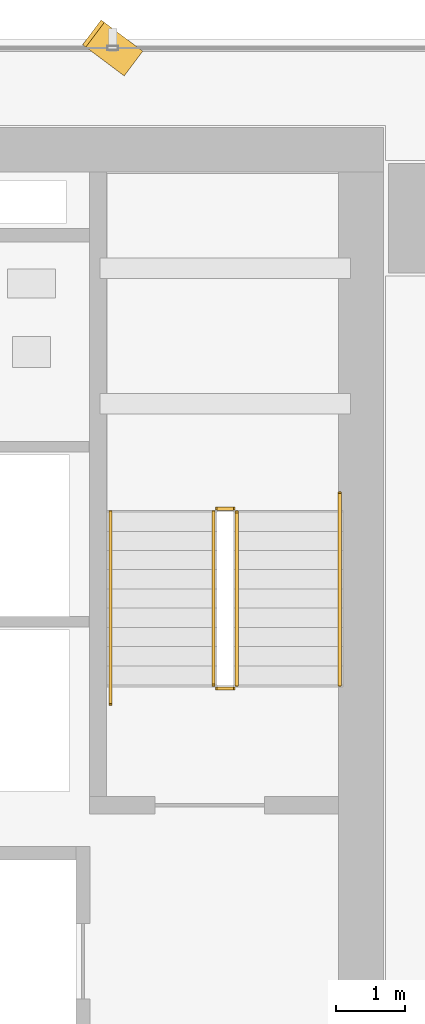
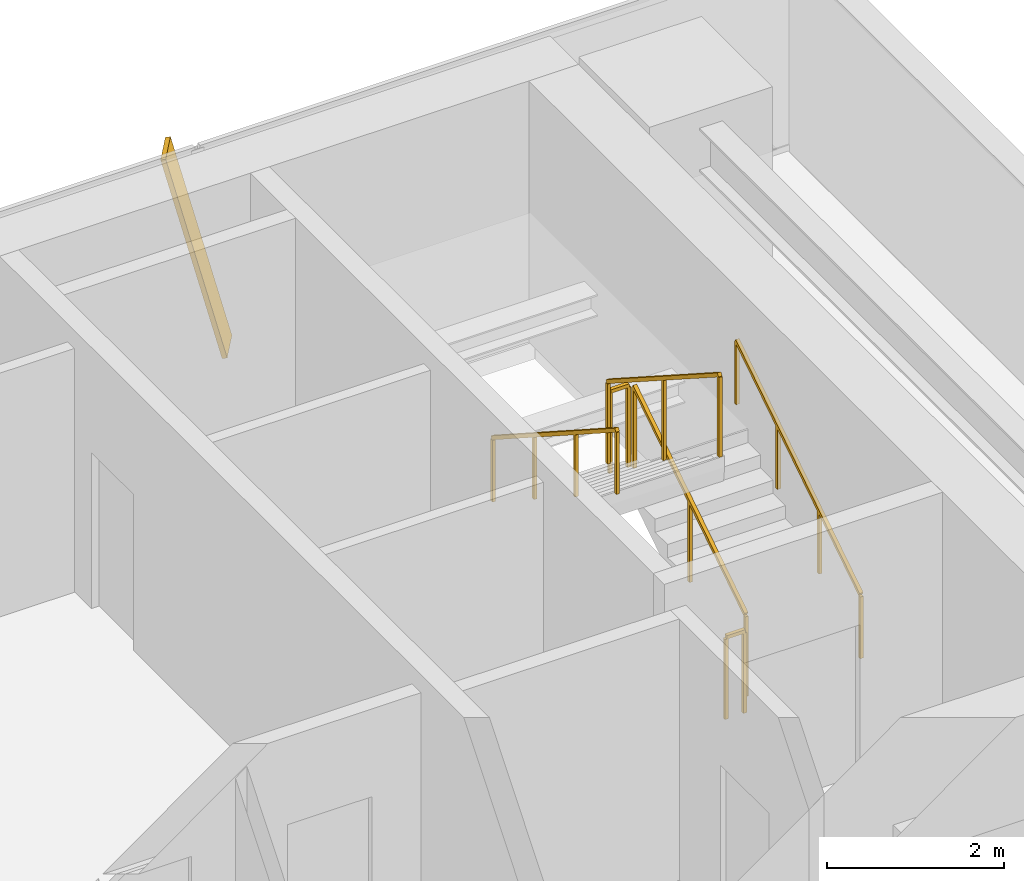
# One storey, part 33 of 34: 6 railings, 1 shading device.
"""IFC4 building model written with IfcOpenShell, lengths in metres."""

from ifc_helpers import new_model, si_unit, direction, frame, origin, origin_2d, place, context, subcontext, project, spatial, rectangle, extrude, source, transform, mapped, material, material_profile, profile_set, type_object, element, save


model = new_model("IFC4")

# Units and contexts
model_context = context("Model", 3, precision=1e-05, world=origin(), true_north=direction((0.0, 1.0)))
body_context = subcontext(model_context, "Body", "Model", "MODEL_VIEW")
ifc_project = project(units=[si_unit("LENGTHUNIT", "METRE"), si_unit("AREAUNIT", "SQUARE_METRE"), si_unit("VOLUMEUNIT", "CUBIC_METRE"), si_unit("PLANEANGLEUNIT", "RADIAN"), si_unit("MASSUNIT", "GRAM", prefix="KILO")], contexts=[model_context])

# Site, building, storey
site_placement = place(None, origin())
site = spatial("IfcSite", under=ifc_project, at=site_placement, CompositionType="ELEMENT")
building_placement = place(site_placement, origin())
building = spatial("IfcBuilding", under=site, at=building_placement, Name="Sumidabori Civic Tower", CompositionType="ELEMENT")
storey_placement = place(building_placement, frame((0.0, 0.0, 106.39990234375)))
storey = spatial("IfcBuildingStorey", under=building, at=storey_placement, Name="L27", CompositionType="ELEMENT", Elevation=106.39990234375)

# Railings
ifc_material_1 = material(Name="Stainless Steel Hairline Finish", Category="steel")
railing_type_1 = type_object("IfcRailingType", Name="RL-HANDRAIL", PredefinedType="HANDRAIL", material=ifc_material_1)
railing_1_placement = place(storey_placement, frame((15.2900390625, 16.0, 0.18017578125)))
element("IfcRailing", 1, at=railing_1_placement, inside=storey, type_object=railing_type_1, Name="L27 ST-2 stair handrail 1", PredefinedType="HANDRAIL", context=body_context, shape_type="SweptSolid", body=[
    extrude(rectangle(XDim=0.048095703125, YDim=0.048095703125, at=origin_2d()), frame((0.0, 0.0, 0.8759765625), z_axis=(0.0, 0.840675598268, 0.541539046124), x_axis=(-1.0, 0.0, 0.0)), (0.0, 0.0, 1.0), 3.330810546875),
    extrude(rectangle(XDim=0.0419921875, YDim=0.0419921875, at=origin_2d()), origin(), (0.0, 0.0, 1.0), 0.851806640625),
    extrude(rectangle(XDim=0.0419921875, YDim=0.0419921875, at=origin_2d()), frame((0.0, 0.933349609375, 0.601318359375)), (0.0, 0.0, 1.0), 0.851806640625),
    extrude(rectangle(XDim=0.0419921875, YDim=0.0419921875, at=origin_2d()), frame((0.0, 1.86669921875, 1.202392578125)), (0.0, 0.0, 1.0), 0.851806640625),
    extrude(rectangle(XDim=0.0419921875, YDim=0.0419921875, at=origin_2d()), frame((0.0, 2.800048828125, 1.8037109375)), (0.0, 0.0, 1.0), 0.851806640625),
])
railing_2_placement = place(storey_placement, frame((11.949951171875, 18.52001953125, 1.97998046875)))
element("IfcRailing", 2, at=railing_2_placement, inside=storey, type_object=railing_type_1, Name="L27 ST-2 stair handrail 2", PredefinedType="HANDRAIL", context=body_context, shape_type="SweptSolid", body=[
    extrude(rectangle(XDim=0.048095703125, YDim=0.048095703125, at=origin_2d()), frame((0.0, 0.0, 0.8759765625), z_axis=(0.0, -0.84064222762, 0.54159084662), x_axis=(1.0, 0.0, 0.0)), (0.0, 0.0, 1.0), 3.330810546875),
    extrude(rectangle(XDim=0.0419921875, YDim=0.0419921875, at=origin_2d()), origin(), (0.0, 0.0, 1.0), 0.851806640625),
    extrude(rectangle(XDim=0.0419921875, YDim=0.0419921875, at=origin_2d()), frame((0.0, -0.933349609375, 0.601318359375)), (0.0, 0.0, 1.0), 0.851806640625),
    extrude(rectangle(XDim=0.0419921875, YDim=0.0419921875, at=origin_2d()), frame((0.0, -1.86669921875, 1.20263671875)), (0.0, 0.0, 1.0), 0.851806640625),
    extrude(rectangle(XDim=0.0419921875, YDim=0.0419921875, at=origin_2d()), frame((0.0, -2.800048828125, 1.803955078125)), (0.0, 0.0, 1.0), 0.851806640625),
])
ifc_material_2 = material(Name="Steel SN490", Category="steel")
railing_type_2 = type_object("IfcRailingType", Name="RL-STAIR-GUARD", PredefinedType="GUARDRAIL", material=ifc_material_2)
railing_3_placement = place(storey_placement, frame((13.7900390625, 16.0, 0.18017578125)))
element("IfcRailing", 3, at=railing_3_placement, inside=storey, type_object=railing_type_2, Name="L27 ST-2 stair guard 1", PredefinedType="GUARDRAIL", context=body_context, shape_type="SweptSolid", body=[
    extrude(rectangle(XDim=0.048095703125, YDim=0.048095703125, at=origin_2d()), frame((0.0, 0.0, 1.1259765625), z_axis=(0.0, 0.841199657755, 0.540724639528), x_axis=(-1.0, 0.0, 0.0)), (0.0, 0.0, 1.0), 2.995849609375),
    extrude(rectangle(XDim=0.0419921875, YDim=0.0419921875, at=origin_2d()), origin(), (0.0, 0.0, 1.0), 1.101806640625),
    extrude(rectangle(XDim=0.0419921875, YDim=0.0419921875, at=origin_2d()), frame((0.0, 1.260009765625, 0.81005859375)), (0.0, 0.0, 1.0), 1.101806640625),
    extrude(rectangle(XDim=0.0419921875, YDim=0.0419921875, at=origin_2d()), frame((0.0, 2.52001953125, 1.619873046875)), (0.0, 0.0, 1.0), 1.101806640625),
])
railing_4_placement = place(storey_placement, frame((13.739990234375, 18.570068359375, 1.800048828125)))
element("IfcRailing", 4, at=railing_4_placement, inside=storey, type_object=railing_type_2, Name="L27 ST-2 stair guard 2", PredefinedType="GUARDRAIL", context=body_context, shape_type="SweptSolid", body=[
    extrude(rectangle(XDim=0.048095703125, YDim=0.048095703125, at=origin_2d()), frame((0.0, 0.0, 1.1259765625), z_axis=(-1.0, 0.0, 0.0), x_axis=(0.0, -1.0, 0.0)), (0.0, 0.0, 1.0), 0.239990234375),
    extrude(rectangle(XDim=0.0419921875, YDim=0.0419921875, at=origin_2d()), origin(), (0.0, 0.0, 1.0), 1.101806640625),
    extrude(rectangle(XDim=0.0419921875, YDim=0.0419921875, at=origin_2d()), frame((-0.239990234375, 0.0, 0.0)), (0.0, 0.0, 1.0), 1.101806640625),
])
railing_5_placement = place(storey_placement, frame((13.449951171875, 18.52001953125, 1.97998046875)))
element("IfcRailing", 5, at=railing_5_placement, inside=storey, type_object=railing_type_2, Name="L27 ST-2 stair guard 3", PredefinedType="GUARDRAIL", context=body_context, shape_type="SweptSolid", body=[
    extrude(rectangle(XDim=0.048095703125, YDim=0.048095703125, at=origin_2d()), frame((0.0, 0.0, 1.1259765625), z_axis=(0.0, -0.841162588446, 0.540782303519), x_axis=(1.0, 0.0, 0.0)), (0.0, 0.0, 1.0), 2.995849609375),
    extrude(rectangle(XDim=0.0419921875, YDim=0.0419921875, at=origin_2d()), origin(), (0.0, 0.0, 1.0), 1.101806640625),
    extrude(rectangle(XDim=0.0419921875, YDim=0.0419921875, at=origin_2d()), frame((0.0, -1.260009765625, 0.81005859375)), (0.0, 0.0, 1.0), 1.101806640625),
    extrude(rectangle(XDim=0.0419921875, YDim=0.0419921875, at=origin_2d()), frame((0.0, -2.52001953125, 1.6201171875)), (0.0, 0.0, 1.0), 1.101806640625),
])
railing_6_placement = place(storey_placement, frame((13.739990234375, 15.949951171875, 0.0)))
element("IfcRailing", 6, at=railing_6_placement, inside=storey, type_object=railing_type_2, Name="L27 ST-2 stair guard 4", PredefinedType="GUARDRAIL", context=body_context, shape_type="SweptSolid", body=[
    extrude(rectangle(XDim=0.048095703125, YDim=0.048095703125, at=origin_2d()), frame((0.0, 0.0, 1.1259765625), z_axis=(-1.0, 0.0, 0.0), x_axis=(0.0, -1.0, 0.0)), (0.0, 0.0, 1.0), 0.239990234375),
    extrude(rectangle(XDim=0.0419921875, YDim=0.0419921875, at=origin_2d()), origin(), (0.0, 0.0, 1.0), 1.101806640625),
    extrude(rectangle(XDim=0.0419921875, YDim=0.0419921875, at=origin_2d()), frame((-0.239990234375, 0.0, 0.0)), (0.0, 0.0, 1.0), 1.101806640625),
])

# Shading device
ifc_material_3 = material(Name="Anodised Bronze Aluminium AW-6063-T6", Category="aluminium")
ifc_material_profile = material_profile(ifc_material_3, rectangle(XDim=0.06005859375, YDim=0.449951171875, at=origin_2d()), Name="BRONZE FIN 450x60")
ifc_profile_set = profile_set([ifc_material_profile], Name="Anodised Bronze Aluminium AW-6063-T6")
shading_device_type = type_object("IfcShadingDeviceType", Name="SH-FIN-450", PredefinedType="USERDEFINED", material=ifc_profile_set)
shared_shape = source(origin(), body_context, "Body", "SweptSolid", [
    extrude(rectangle(XDim=0.06005859375, YDim=0.449951171875, at=origin_2d()), origin(), (0.0, 0.0, 1.0), 2.77001953125),
])
shading_device_placement = place(storey_placement, frame((12.261962890625, 25.070068359375, 0.02001953125), z_axis=(-0.202181391677, 0.151591976323, 0.967544602369), x_axis=(0.774116663029, -0.580418770885, 0.252700301595)))
element("IfcShadingDevice", 7, at=shading_device_placement, inside=storey, type_object=shading_device_type, Name="Bronze Anodised Diagonal Fin L27-01", ObjectType="FIN", PredefinedType="USERDEFINED", context=body_context, shape_type="MappedRepresentation", body=[
    mapped(shared_shape, transform((0.0, 0.0, 0.0), x_axis=(1.0, 0.0, 0.0), y_axis=(0.0, 1.0, 0.0), z_axis=(0.0, 0.0, 1.0), scale=1.0)),
])

save(model, "model.ifc")
